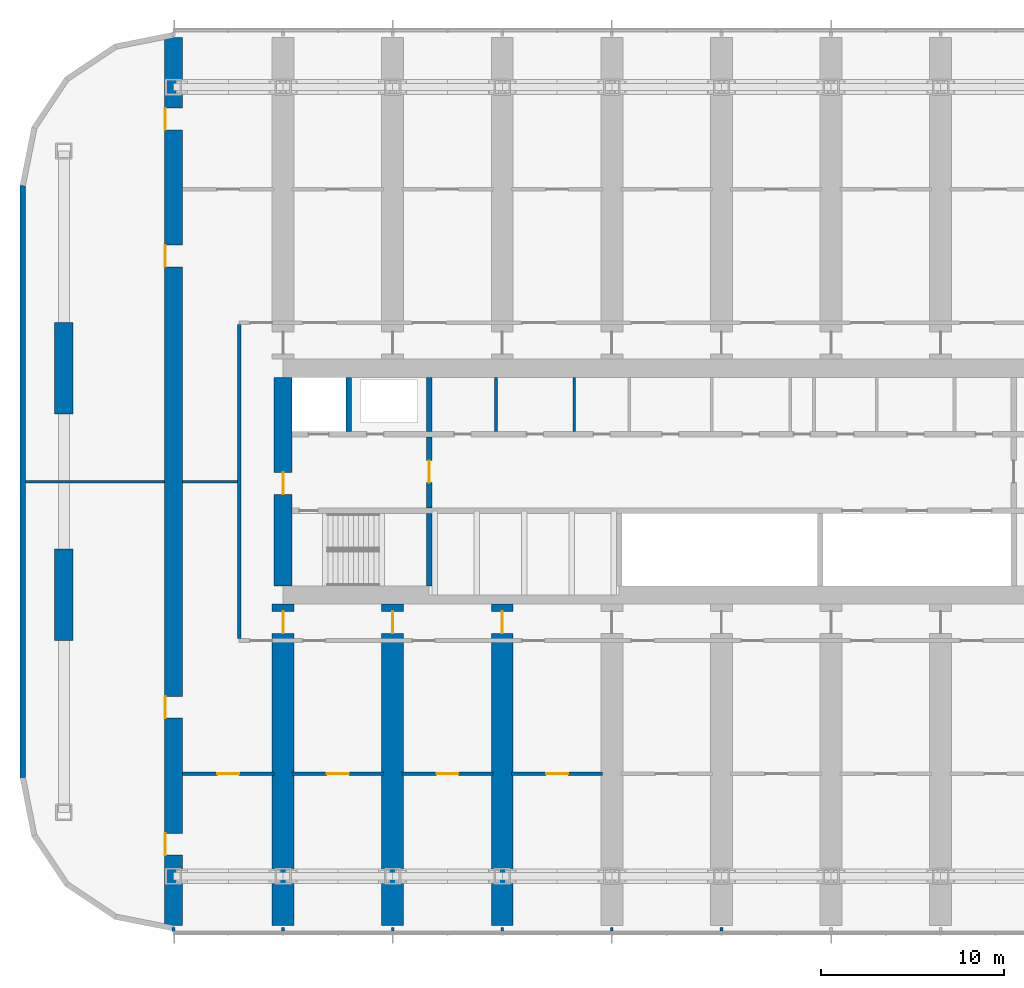
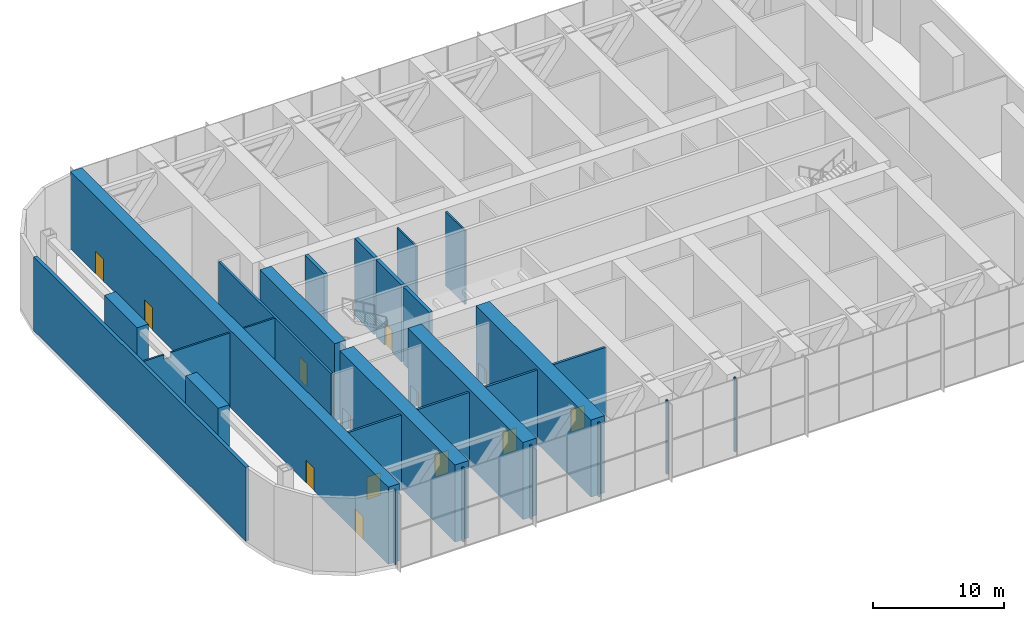
# One storey, part 10 of 24: 27 walls, 13 doors, 13 openings.
"""IFC4 building model written with IfcOpenShell, lengths in metres."""

import ifcopenshell
import ifcopenshell.guid

model = None  # the IFC model being written
_history = None  # IfcOwnerHistory: only IFC2X3 demands one
_inside = {}  # id of a spatial element -> (the spatial element, [elements in it])
_under = {}  # id of a project, library or spatial element -> (it, [spatial elements below it])
_declared = {}  # id of a project -> (the project, [libraries it declares])
_typed = {}  # id of a type object -> (the type object, [elements of that type])
_made_of = {}  # id of a material, layer set ... -> (it, [elements and type objects made of it])


def new_model(schema):
    """Start an empty IFC model of exactly this schema.

    Asked for "IFC4X3", IfcOpenShell would pick the latest addendum, in which some entities
    have other attributes; the version numbers below select the first issue.
    IFC2X3 requires an IfcOwnerHistory on every rooted entity: one is made here for all.
    """
    global model, _history
    if schema == "IFC4X3":
        model = ifcopenshell.file(schema_version=(4, 3, 0, 0))
    else:
        model = ifcopenshell.file(schema=schema)
    _inside.clear()
    _under.clear()
    _declared.clear()
    _typed.clear()
    _made_of.clear()
    _history = None
    if model.schema == "IFC2X3":
        org = make("IfcOrganization", Name="unknown")
        user = make(
            "IfcPersonAndOrganization",
            ThePerson=make("IfcPerson", FamilyName="unknown"),
            TheOrganization=org,
        )
        app = make(
            "IfcApplication",
            ApplicationDeveloper=org,
            Version="unknown",
            ApplicationFullName="unknown",
            ApplicationIdentifier="unknown",
        )
        _history = make(
            "IfcOwnerHistory",
            OwningUser=user,
            OwningApplication=app,
            ChangeAction="ADDED",
            CreationDate=0,
        )
    return model


def make(cls, **values):
    """One entity of the class cls with the attributes given. An attribute that is None is left unset."""
    return model.create_entity(
        cls, **{name: value for name, value in values.items() if value is not None}
    )


def rooted(cls, **values):
    """An entity with a GlobalId (a new one), such as an element, a storey or a relation."""
    return make(cls, GlobalId=ifcopenshell.guid.new(), OwnerHistory=_history, **values)


def si_unit(unit_type, name, prefix=None):
    """IfcSIUnit, for example si_unit("LENGTHUNIT", "METRE", prefix="MILLI")."""
    return make("IfcSIUnit", UnitType=unit_type, Prefix=prefix, Name=name)


def assignment(units):
    """IfcUnitAssignment: the units of a project."""
    return None if units is None else make("IfcUnitAssignment", Units=units)


def point(xyz):
    """IfcCartesianPoint."""
    return None if xyz is None else make("IfcCartesianPoint", Coordinates=xyz)


def direction(xyz):
    """IfcDirection."""
    return None if xyz is None else make("IfcDirection", DirectionRatios=xyz)


def frame(location, z_axis=None, x_axis=None):
    """IfcAxis2Placement3D, a coordinate frame: its origin and axes. An axis left out is left unset."""
    return make(
        "IfcAxis2Placement3D",
        Location=point(location),
        Axis=direction(z_axis),
        RefDirection=direction(x_axis),
    )


def frame_2d(location, x_axis=None):
    """IfcAxis2Placement2D, a coordinate frame in the plane: its origin and x axis."""
    return make(
        "IfcAxis2Placement2D", Location=point(location), RefDirection=direction(x_axis)
    )


def origin():
    """The frame at (0, 0, 0) with its axes left unset."""
    return frame((0.0, 0.0, 0.0))


def place(relative_to, where):
    """IfcLocalPlacement: puts the frame where relative to a parent placement (None: the world)."""
    return make(
        "IfcLocalPlacement", PlacementRelTo=relative_to, RelativePlacement=where
    )


def context(
    kind, dimensions, precision=None, world=None, true_north=None, identifier=None
):
    """IfcGeometricRepresentationContext, for example the 3D "Model" context."""
    return make(
        "IfcGeometricRepresentationContext",
        ContextIdentifier=identifier,
        ContextType=kind,
        CoordinateSpaceDimension=dimensions,
        Precision=precision,
        WorldCoordinateSystem=world,
        TrueNorth=true_north,
    )


def subcontext(parent, identifier, kind, view, scale=None):
    """IfcGeometricRepresentationSubContext, for example "Body" below "Model"."""
    return make(
        "IfcGeometricRepresentationSubContext",
        ContextIdentifier=identifier,
        ContextType=kind,
        ParentContext=parent,
        TargetScale=scale,
        TargetView=view,
    )


def project(units=None, contexts=None):
    """IfcProject with its units and contexts."""
    return rooted(
        "IfcProject",
        Name="project",
        RepresentationContexts=contexts,
        UnitsInContext=assignment(units),
    )


def spatial(cls, under=None, at=None, **own):
    """A site, building, storey or space (cls), placed at a placement, below another one or the project."""
    s = rooted(cls, ObjectPlacement=at, **own)
    if under is not None:
        _under.setdefault(under.id(), (under, []))[1].append(s)
    return s


def polyline(points):
    """IfcPolyline through the points."""
    return make("IfcPolyline", Points=[point(p) for p in points])


def profile(cls, at=None, kind="AREA", **sizes):
    """A parametric profile (cls). Its sizes go by their IFC names, for example OverallWidth=200.0."""
    return make(cls, ProfileType=kind, Position=at, **sizes)


def rectangle(**sizes):
    """IfcRectangleProfileDef."""
    return profile("IfcRectangleProfileDef", **sizes)


def outline(outer, holes=None, kind="AREA"):
    """IfcArbitraryClosedProfileDef: a profile drawn as a closed curve; with holes, ...WithVoids."""
    if holes is None:
        return make("IfcArbitraryClosedProfileDef", ProfileType=kind, OuterCurve=outer)
    return make(
        "IfcArbitraryProfileDefWithVoids",
        ProfileType=kind,
        OuterCurve=outer,
        InnerCurves=holes,
    )


def extrude(swept, where, along, depth):
    """IfcExtrudedAreaSolid: the profile swept, set in the frame where, extruded along a direction by depth."""
    return make(
        "IfcExtrudedAreaSolid",
        SweptArea=swept,
        Position=where,
        ExtrudedDirection=direction(along),
        Depth=depth,
    )


def shape(context_of_items, identifier, shape_type, items):
    """IfcShapeRepresentation: the items that make up one representation, for example the "Body"."""
    return make(
        "IfcShapeRepresentation",
        ContextOfItems=context_of_items,
        RepresentationIdentifier=identifier,
        RepresentationType=shape_type,
        Items=items,
    )


def material(Name=None, Category=None):
    """IfcMaterial."""
    return make("IfcMaterial", Name=Name, Category=Category)


def layer(
    of_material, thickness, ventilated=None, Name=None, Category=None, Priority=None
):
    """IfcMaterialLayer: one layer of a wall or slab, of a material (None: an air gap)."""
    return make(
        "IfcMaterialLayer",
        Material=of_material,
        LayerThickness=thickness,
        IsVentilated=ventilated,
        Name=Name,
        Category=Category,
        Priority=Priority,
    )


def layer_set(layers, Name=None):
    """IfcMaterialLayerSet."""
    return make("IfcMaterialLayerSet", MaterialLayers=layers, LayerSetName=Name)


def made_of(thing, what):
    """Note that an element or type object is made of a material, layer set ...; save() writes the relation."""
    if what is not None:
        _made_of.setdefault(what.id(), (what, []))[1].append(thing)
    return thing


def type_object(cls, material=None, **own):
    """A type object (cls), such as IfcWallType, which elements share."""
    return made_of(rooted(cls, **own), material)


def element(
    cls,
    number,
    at=None,
    inside=None,
    cuts=None,
    type_object=None,
    material=None,
    context=None,
    identifier="Body",
    shape_type=None,
    held_by="IfcProductDefinitionShape",
    body=None,
    shapes=None,
    **own,
):
    """One element of the class cls, such as IfcWall. Its Tag is "e" and its number.

    at: its placement. inside: the storey or other place that contains it. cuts: it is an
    opening in that element (IfcRelVoidsElement). A single representation is given by context,
    identifier, shape_type and body (its items); several are given by shapes. held_by: the class
    of the entity that holds the representations. save() writes the other relations.
    """
    e = rooted(cls, Tag="e%d" % number, ObjectPlacement=at, **own)
    if body is not None:
        shapes = [shape(context, identifier, shape_type, body)]
    if shapes is not None:
        e.Representation = make(held_by, Representations=shapes)
    if inside is not None:
        _inside.setdefault(inside.id(), (inside, []))[1].append(e)
    if cuts is not None:
        rooted(
            "IfcRelVoidsElement", RelatingBuildingElement=cuts, RelatedOpeningElement=e
        )
    if type_object is not None:
        _typed.setdefault(type_object.id(), (type_object, []))[1].append(e)
    return made_of(e, material)


def fill(opening, filler):
    """IfcRelFillsElement: the door or window that sits in an opening."""
    return rooted(
        "IfcRelFillsElement",
        RelatingOpeningElement=opening,
        RelatedBuildingElement=filler,
    )


def aggregate(whole, parts):
    """IfcRelAggregates: a whole, such as a stair, and the parts it consists of."""
    return rooted("IfcRelAggregates", RelatingObject=whole, RelatedObjects=parts)


def save(model, path):
    """Write the relations noted so far, then the file.

    IfcRelAggregates (storeys below a building ...), IfcRelContainedInSpatialStructure (elements
    in a storey), IfcRelDefinesByType, IfcRelAssociatesMaterial and IfcRelDeclares: one each for
    every whole, place, type object, material and project.
    """
    for whole, parts in _under.values():
        aggregate(whole, parts)
    for where, things in _inside.values():
        rooted(
            "IfcRelContainedInSpatialStructure",
            RelatedElements=things,
            RelatingStructure=where,
        )
    for kind, things in _typed.values():
        rooted("IfcRelDefinesByType", RelatedObjects=things, RelatingType=kind)
    for what, things in _made_of.values():
        rooted("IfcRelAssociatesMaterial", RelatedObjects=things, RelatingMaterial=what)
    for by, libraries in _declared.values():
        rooted("IfcRelDeclares", RelatingContext=by, RelatedDefinitions=libraries)
    model.write(path)


model = new_model("IFC4")

# Units and contexts
model_context = context("Model", 3, precision=1e-05, world=origin(), true_north=direction((0.0, 1.0)))
body_context = subcontext(model_context, "Body", "Model", "MODEL_VIEW")
ifc_project = project(units=[si_unit("LENGTHUNIT", "METRE"), si_unit("AREAUNIT", "SQUARE_METRE"), si_unit("VOLUMEUNIT", "CUBIC_METRE"), si_unit("PLANEANGLEUNIT", "RADIAN"), si_unit("MASSUNIT", "GRAM", prefix="KILO")], contexts=[model_context])

# Site, building, storey
site_placement = place(None, origin())
site = spatial("IfcSite", under=ifc_project, at=site_placement, CompositionType="ELEMENT")
building_placement = place(site_placement, origin())
building = spatial("IfcBuilding", under=site, at=building_placement, Name="Orbita Commons", CompositionType="ELEMENT")
storey_placement = place(building_placement, frame((0.0, 0.0, 68.949951171875)))
storey = spatial("IfcBuildingStorey", under=building, at=storey_placement, Name="L17", CompositionType="ELEMENT", Elevation=68.949951171875)

# Wall
ifc_material_1 = material(Name="Concrete C50/60", Category="concrete")
ifc_layer_1 = layer(ifc_material_1, 0.300048828125)
ifc_layer_set_1 = layer_set([ifc_layer_1], Name="Concrete C50/60")
wall_type_1 = type_object("IfcWallType", Name="Core inner wall 300 C50/60", PredefinedType="SHEAR", material=ifc_layer_set_1)
wall_1_placement = place(storey_placement, frame((26.0, 26.300048828125, 0.0), z_axis=(0.0, 0.0, 1.0), x_axis=(0.0, 1.0, 0.0)))
element("IfcWall", 1, at=wall_1_placement, inside=storey, type_object=wall_type_1, Name="Stair S1 wall L17", PredefinedType="SHEAR", context=body_context, shape_type="SweptSolid", body=[
    extrude(rectangle(XDim=3.949951171875, YDim=0.300048828125, at=frame_2d((1.97509765625, 0.0))), origin(), (0.0, 0.0, 1.0), 7.199951171875),
])

# Wall, opening, door
wall_2_placement = place(storey_placement, frame((26.0, 30.550048828125, 0.0), z_axis=(0.0, 0.0, 1.0), x_axis=(0.0, 1.0, 0.0)))
wall_2 = element("IfcWall", 2, at=wall_2_placement, inside=storey, type_object=wall_type_1, Name="Firefighting lobby wall west L17", PredefinedType="SHEAR", context=body_context, shape_type="SweptSolid", body=[
    extrude(rectangle(XDim=3.89990234375, YDim=0.300048828125, at=frame_2d((1.949951171875, 0.0))), origin(), (0.0, 0.0, 1.0), 7.199951171875),
])
opening_1_placement = place(wall_2_placement, frame((1.39990234375, 0.0, 0.0)))
opening_1 = element("IfcOpeningElement", 3, at=opening_1_placement, cuts=wall_2, Name="Opening D04", PredefinedType="OPENING", context=body_context, shape_type="SweptSolid", body=[
    extrude(rectangle(XDim=1.199951171875, YDim=2.10009765625, at=frame_2d((0.60009765625, 1.050048828125))), frame((0.0, 0.159912109375, 0.0), z_axis=(0.0, -1.0, 0.0), x_axis=(1.0, 0.0, 0.0)), (0.0, 0.0, 1.0), 0.320068359375),
])
ifc_material_2 = material(Name="Steel-faced fire door leaf", Category="steel")
door_type_1 = type_object("IfcDoorType", Name="Service door 20 min 1200x2100", OperationType="SINGLE_SWING_LEFT", PredefinedType="DOOR", material=ifc_material_2)
door_1_placement = place(opening_1_placement, origin())
door_1 = element("IfcDoor", 4, at=door_1_placement, inside=storey, type_object=door_type_1, Name="Lift lobby door west", OperationType="SINGLE_SWING_LEFT", OverallHeight=2.10009765625, OverallWidth=1.199951171875, PredefinedType="DOOR", context=body_context, shape_type="SweptSolid", body=[
    extrude(rectangle(XDim=1.199951171875, YDim=2.10009765625, at=frame_2d((0.60009765625, 1.050048828125))), frame((0.0, 0.02490234375, 0.0), z_axis=(0.0, -1.0, 0.0), x_axis=(1.0, 0.0, 0.0)), (0.0, 0.0, 1.0), 0.050048828125),
])
fill(opening_1, door_1)

# Walls
for number, where, z_axis, x_axis, name in (
    (5, (21.60009765625, 34.75, 0.0), (0.0, 0.0, 1.0), (0.0, 1.0, 0.0), "Firefighting lift FL1 shaft wall L17"),
    (6, (26.0, 34.75, 0.0), (0.0, 0.0, 1.0), (0.0, 1.0, 0.0), "Riser wall west L17"),
):
    element("IfcWall", number, at=place(storey_placement, frame(where, z_axis=z_axis, x_axis=x_axis)), inside=storey, type_object=wall_type_1, Name=name, PredefinedType="SHEAR", context=body_context, shape_type="SweptSolid", body=[
        extrude(rectangle(XDim=2.949951171875, YDim=0.300048828125, at=frame_2d((1.47509765625, 0.0))), origin(), (0.0, 0.0, 1.0), 7.199951171875),
    ])
ifc_material_3 = material(Name="Concrete blockwork", Category="masonry")
ifc_layer_2 = layer(ifc_material_3, 0.14990234375)
ifc_layer_set_2 = layer_set([ifc_layer_2], Name="Concrete blockwork")
wall_type_2 = type_object("IfcWallType", Name="Core partition 150 blockwork", PredefinedType="SOLIDWALL", material=ifc_layer_set_2)
for number, where, z_axis, x_axis, name in (
    (7, (29.65087890625, 34.75, 0.0), (0.0, 0.0, 1.0), (0.0, 1.0, 0.0), "Core partition 150 blockwork L17"),
    (8, (33.9462890625, 34.75, 0.0), (0.0, 0.0, 1.0), (0.0, 1.0, 0.0), "Core partition 150 blockwork L17"),
):
    element("IfcWall", number, at=place(storey_placement, frame(where, z_axis=z_axis, x_axis=x_axis)), inside=storey, type_object=wall_type_2, Name=name, PredefinedType="SOLIDWALL", context=body_context, shape_type="SweptSolid", body=[
        extrude(rectangle(XDim=2.949951171875, YDim=0.14990234375, at=frame_2d((1.47509765625, 0.0))), origin(), (0.0, 0.0, 1.0), 6.900146484375),
    ])

# Wall, opening, door
ifc_material_4 = material(Name="Concrete C50/60", Category="concrete")
ifc_layer_3 = layer(ifc_material_4, 1.0)
ifc_layer_set_3 = layer_set([ifc_layer_3], Name="Concrete C50/60")
wall_type_3 = type_object("IfcWallType", Name="Core wall 1000 C50/60", PredefinedType="SHEAR", material=ifc_layer_set_3)
wall_3_placement = place(storey_placement, frame((18.0, 26.300048828125, 0.0), z_axis=(0.0, 0.0, 1.0), x_axis=(0.0, 1.0, 0.0)))
wall_3 = element("IfcWall", 9, at=wall_3_placement, inside=storey, type_object=wall_type_3, Name="Core end wall west L17", PredefinedType="SHEAR", context=body_context, shape_type="SweptSolid", body=[
    extrude(rectangle(XDim=11.39990234375, YDim=1.0, at=frame_2d((5.699951171875, 0.0))), origin(), (0.0, 0.0, 1.0), 7.199951171875),
])
opening_2_placement = place(wall_3_placement, frame((5.0, 0.0, 0.0)))
opening_2 = element("IfcOpeningElement", 10, at=opening_2_placement, cuts=wall_3, Name="Opening D01", PredefinedType="OPENING", context=body_context, shape_type="SweptSolid", body=[
    extrude(rectangle(XDim=1.199951171875, YDim=2.10009765625, at=frame_2d((0.60009765625, 1.050048828125))), frame((0.0, 0.510009765625, 0.0), z_axis=(0.0, -1.0, 0.0), x_axis=(1.0, 0.0, 0.0)), (0.0, 0.0, 1.0), 1.02001953125),
])
ifc_material_5 = material(Name="Steel-faced fire door leaf", Category="steel")
door_type_2 = type_object("IfcDoorType", Name="Fire door 90 min 1200x2100", OperationType="SINGLE_SWING_LEFT", PredefinedType="DOOR", material=ifc_material_5)
door_2_placement = place(opening_2_placement, origin())
door_2 = element("IfcDoor", 11, at=door_2_placement, inside=storey, type_object=door_type_2, Name="Firefighting lobby west door", OperationType="SINGLE_SWING_LEFT", OverallHeight=2.10009765625, OverallWidth=1.199951171875, PredefinedType="DOOR", context=body_context, shape_type="SweptSolid", body=[
    extrude(rectangle(XDim=1.199951171875, YDim=2.10009765625, at=frame_2d((0.60009765625, 1.050048828125))), frame((0.0, 0.02490234375, 0.0), z_axis=(0.0, -1.0, 0.0), x_axis=(1.0, 0.0, 0.0)), (0.0, 0.0, 1.0), 0.050048828125),
])
fill(opening_2, door_2)

# Wall
ifc_material_6 = material(Name="Concrete blockwork", Category="masonry")
ifc_layer_4 = layer(ifc_material_6, 0.199951171875)
ifc_layer_set_4 = layer_set([ifc_layer_4], Name="Concrete blockwork")
wall_type_4 = type_object("IfcWallType", Name="Corridor wall 200 blockwork", PredefinedType="SOLIDWALL", material=ifc_layer_set_4)
wall_4_placement = place(storey_placement, frame((15.60009765625, 23.39990234375, 0.0), z_axis=(0.0, 0.0, 1.0), x_axis=(0.0, 1.0, 0.0)))
element("IfcWall", 12, at=wall_4_placement, inside=storey, type_object=wall_type_4, Name="Corridor wall 200 blockwork L17", PredefinedType="SOLIDWALL", context=body_context, shape_type="SweptSolid", body=[
    extrude(rectangle(XDim=17.2001953125, YDim=0.199951171875, at=frame_2d((8.60009765625, 0.0))), origin(), (0.0, 0.0, 1.0), 6.900146484375),
])

# Wall, opening, door
ifc_material_7 = material(Name="Hollow concrete block 200", Category="concrete")
ifc_layer_5 = layer(ifc_material_7, 0.199951171875)
ifc_layer_set_5 = layer_set([ifc_layer_5], Name="Hollow concrete block 200")
wall_type_5 = type_object("IfcWallType", Name="Corridor wall 200 hollow concrete block", PredefinedType="SOLIDWALL", material=ifc_layer_set_5)
wall_5_placement = place(storey_placement, frame((12.5, 16.0, 0.0), z_axis=(0.0, 0.0, 1.0), x_axis=(1.0, 0.0, 0.0)))
wall_5 = element("IfcWall", 13, at=wall_5_placement, inside=storey, type_object=wall_type_5, Name="Corridor wall 200 hollow concrete block L17", PredefinedType="SOLIDWALL", context=body_context, shape_type="SweptSolid", body=[
    extrude(rectangle(XDim=5.0, YDim=0.199951171875, at=frame_2d((2.5, 0.0))), origin(), (0.0, 0.0, 1.0), 6.900146484375),
])
opening_3_placement = place(wall_5_placement, frame((1.89990234375, 0.0, 0.0)))
opening_3 = element("IfcOpeningElement", 14, at=opening_3_placement, cuts=wall_5, Name="Opening D01", PredefinedType="OPENING", context=body_context, shape_type="SweptSolid", body=[
    extrude(rectangle(XDim=1.199951171875, YDim=2.10009765625, at=frame_2d((0.60009765625, 1.050048828125))), frame((0.0, 0.10986328125, 0.0), z_axis=(0.0, -1.0, 0.0), x_axis=(1.0, 0.0, 0.0)), (0.0, 0.0, 1.0), 0.219970703125),
])
door_3_placement = place(opening_3_placement, origin())
door_3 = element("IfcDoor", 15, at=door_3_placement, inside=storey, type_object=door_type_2, Name="Refuge area door L17", OperationType="SINGLE_SWING_LEFT", OverallHeight=2.10009765625, OverallWidth=1.199951171875, PredefinedType="DOOR", context=body_context, shape_type="SweptSolid", body=[
    extrude(rectangle(XDim=1.199951171875, YDim=2.10009765625, at=frame_2d((0.60009765625, 1.050048828125))), frame((0.0, 0.02490234375, 0.0), z_axis=(0.0, -1.0, 0.0), x_axis=(1.0, 0.0, 0.0)), (0.0, 0.0, 1.0), 0.050048828125),
])
fill(opening_3, door_3)

wall_6_placement = place(storey_placement, frame((18.5, 16.0, 0.0), z_axis=(0.0, 0.0, 1.0), x_axis=(1.0, 0.0, 0.0)))
wall_6 = element("IfcWall", 16, at=wall_6_placement, inside=storey, type_object=wall_type_5, Name="Corridor wall 200 hollow concrete block L17", PredefinedType="SOLIDWALL", context=body_context, shape_type="SweptSolid", body=[
    extrude(rectangle(XDim=5.0, YDim=0.199951171875, at=frame_2d((2.5, 0.0))), origin(), (0.0, 0.0, 1.0), 6.900146484375),
])
opening_4_placement = place(wall_6_placement, frame((1.89990234375, 0.0, 0.0)))
opening_4 = element("IfcOpeningElement", 17, at=opening_4_placement, cuts=wall_6, Name="Opening D01", PredefinedType="OPENING", context=body_context, shape_type="SweptSolid", body=[
    extrude(rectangle(XDim=1.199951171875, YDim=2.10009765625, at=frame_2d((0.60009765625, 1.050048828125))), frame((0.0, 0.10986328125, 0.0), z_axis=(0.0, -1.0, 0.0), x_axis=(1.0, 0.0, 0.0)), (0.0, 0.0, 1.0), 0.219970703125),
])
door_4_placement = place(opening_4_placement, origin())
door_4 = element("IfcDoor", 18, at=door_4_placement, inside=storey, type_object=door_type_2, Name="Refuge area door L17", OperationType="SINGLE_SWING_LEFT", OverallHeight=2.10009765625, OverallWidth=1.199951171875, PredefinedType="DOOR", context=body_context, shape_type="SweptSolid", body=[
    extrude(rectangle(XDim=1.199951171875, YDim=2.10009765625, at=frame_2d((0.60009765625, 1.050048828125))), frame((0.0, 0.02490234375, 0.0), z_axis=(0.0, -1.0, 0.0), x_axis=(1.0, 0.0, 0.0)), (0.0, 0.0, 1.0), 0.050048828125),
])
fill(opening_4, door_4)

wall_7_placement = place(storey_placement, frame((24.5, 16.0, 0.0), z_axis=(0.0, 0.0, 1.0), x_axis=(1.0, 0.0, 0.0)))
wall_7 = element("IfcWall", 19, at=wall_7_placement, inside=storey, type_object=wall_type_5, Name="Corridor wall 200 hollow concrete block L17", PredefinedType="SOLIDWALL", context=body_context, shape_type="SweptSolid", body=[
    extrude(rectangle(XDim=5.0, YDim=0.199951171875, at=frame_2d((2.5, 0.0))), origin(), (0.0, 0.0, 1.0), 6.900146484375),
])
opening_5_placement = place(wall_7_placement, frame((1.89990234375, 0.0, 0.0)))
opening_5 = element("IfcOpeningElement", 20, at=opening_5_placement, cuts=wall_7, Name="Opening D01", PredefinedType="OPENING", context=body_context, shape_type="SweptSolid", body=[
    extrude(rectangle(XDim=1.199951171875, YDim=2.10009765625, at=frame_2d((0.60009765625, 1.050048828125))), frame((0.0, 0.10986328125, 0.0), z_axis=(0.0, -1.0, 0.0), x_axis=(1.0, 0.0, 0.0)), (0.0, 0.0, 1.0), 0.219970703125),
])
door_5_placement = place(opening_5_placement, origin())
door_5 = element("IfcDoor", 21, at=door_5_placement, inside=storey, type_object=door_type_2, Name="Refuge area door L17", OperationType="SINGLE_SWING_LEFT", OverallHeight=2.10009765625, OverallWidth=1.199951171875, PredefinedType="DOOR", context=body_context, shape_type="SweptSolid", body=[
    extrude(rectangle(XDim=1.199951171875, YDim=2.10009765625, at=frame_2d((0.60009765625, 1.050048828125))), frame((0.0, 0.02490234375, 0.0), z_axis=(0.0, -1.0, 0.0), x_axis=(1.0, 0.0, 0.0)), (0.0, 0.0, 1.0), 0.050048828125),
])
fill(opening_5, door_5)

wall_8_placement = place(storey_placement, frame((30.5, 16.0, 0.0), z_axis=(0.0, 0.0, 1.0), x_axis=(1.0, 0.0, 0.0)))
wall_8 = element("IfcWall", 22, at=wall_8_placement, inside=storey, type_object=wall_type_5, Name="Corridor wall 200 hollow concrete block L17", PredefinedType="SOLIDWALL", context=body_context, shape_type="SweptSolid", body=[
    extrude(rectangle(XDim=5.0, YDim=0.199951171875, at=frame_2d((2.5, 0.0))), origin(), (0.0, 0.0, 1.0), 6.900146484375),
])
opening_6_placement = place(wall_8_placement, frame((1.89990234375, 0.0, 0.0)))
opening_6 = element("IfcOpeningElement", 23, at=opening_6_placement, cuts=wall_8, Name="Opening D01", PredefinedType="OPENING", context=body_context, shape_type="SweptSolid", body=[
    extrude(rectangle(XDim=1.199951171875, YDim=2.10009765625, at=frame_2d((0.60009765625, 1.050048828125))), frame((0.0, 0.10986328125, 0.0), z_axis=(0.0, -1.0, 0.0), x_axis=(1.0, 0.0, 0.0)), (0.0, 0.0, 1.0), 0.219970703125),
])
door_6_placement = place(opening_6_placement, origin())
door_6 = element("IfcDoor", 24, at=door_6_placement, inside=storey, type_object=door_type_2, Name="Refuge area door L17", OperationType="SINGLE_SWING_LEFT", OverallHeight=2.10009765625, OverallWidth=1.199951171875, PredefinedType="DOOR", context=body_context, shape_type="SweptSolid", body=[
    extrude(rectangle(XDim=1.199951171875, YDim=2.10009765625, at=frame_2d((0.60009765625, 1.050048828125))), frame((0.0, 0.02490234375, 0.0), z_axis=(0.0, -1.0, 0.0), x_axis=(1.0, 0.0, 0.0)), (0.0, 0.0, 1.0), 0.050048828125),
])
fill(opening_6, door_6)

# Wall, openings, doors
ifc_material_8 = material(Name="Concrete C50/60", Category="concrete")
ifc_layer_6 = layer(ifc_material_8, 1.0)
ifc_layer_set_6 = layer_set([ifc_layer_6], Name="Concrete C50/60")
wall_type_6 = type_object("IfcWallType", Name="Cross wall 1000 C50/60", PredefinedType="SHEAR", material=ifc_layer_set_6)
wall_9_placement = place(storey_placement, frame((12.0, 7.699951171875, 0.0), z_axis=(0.0, 0.0, 1.0), x_axis=(0.0, 1.0, 0.0)))
wall_9 = element("IfcWall", 25, at=wall_9_placement, inside=storey, type_object=wall_type_6, Name="Cross wall 3 L17", PredefinedType="SHEAR", context=body_context, shape_type="SweptSolid", body=[
    extrude(rectangle(XDim=48.60009765625, YDim=1.0, at=frame_2d((24.300048828125, 0.0))), origin(), (0.0, 0.0, 1.0), 7.199951171875),
])
opening_7_placement = place(wall_9_placement, frame((3.85009765625, 0.0, 0.0)))
opening_7 = element("IfcOpeningElement", 26, at=opening_7_placement, cuts=wall_9, Name="Opening D01", PredefinedType="OPENING", context=body_context, shape_type="SweptSolid", body=[
    extrude(rectangle(XDim=1.199951171875, YDim=2.10009765625, at=frame_2d((0.60009765625, 1.050048828125))), frame((0.0, 0.510009765625, 0.0), z_axis=(0.0, -1.0, 0.0), x_axis=(1.0, 0.0, 0.0)), (0.0, 0.0, 1.0), 1.02001953125),
])
opening_8_placement = place(wall_9_placement, frame((11.35009765625, 0.0, 0.0)))
opening_8 = element("IfcOpeningElement", 27, at=opening_8_placement, cuts=wall_9, Name="Opening D01", PredefinedType="OPENING", context=body_context, shape_type="SweptSolid", body=[
    extrude(rectangle(XDim=1.199951171875, YDim=2.10009765625, at=frame_2d((0.60009765625, 1.050048828125))), frame((0.0, 0.510009765625, 0.0), z_axis=(0.0, -1.0, 0.0), x_axis=(1.0, 0.0, 0.0)), (0.0, 0.0, 1.0), 1.02001953125),
])
opening_9_placement = place(wall_9_placement, frame((43.550048828125, 0.0, 0.0)))
opening_9 = element("IfcOpeningElement", 28, at=opening_9_placement, cuts=wall_9, Name="Opening D01", PredefinedType="OPENING", context=body_context, shape_type="SweptSolid", body=[
    extrude(rectangle(XDim=1.199951171875, YDim=2.10009765625, at=frame_2d((0.60009765625, 1.050048828125))), frame((0.0, 0.510009765625, 0.0), z_axis=(0.0, -1.0, 0.0), x_axis=(1.0, 0.0, 0.0)), (0.0, 0.0, 1.0), 1.02001953125),
])
opening_10_placement = place(wall_9_placement, frame((36.050048828125, 0.0, 0.0)))
opening_10 = element("IfcOpeningElement", 29, at=opening_10_placement, cuts=wall_9, Name="Opening D01", PredefinedType="OPENING", context=body_context, shape_type="SweptSolid", body=[
    extrude(rectangle(XDim=1.199951171875, YDim=2.10009765625, at=frame_2d((0.60009765625, 1.050048828125))), frame((0.0, 0.510009765625, 0.0), z_axis=(0.0, -1.0, 0.0), x_axis=(1.0, 0.0, 0.0)), (0.0, 0.0, 1.0), 1.02001953125),
])
door_7_placement = place(opening_7_placement, origin())
door_7 = element("IfcDoor", 30, at=door_7_placement, inside=storey, type_object=door_type_2, Name="Refuge area connecting door L17", OperationType="SINGLE_SWING_LEFT", OverallHeight=2.10009765625, OverallWidth=1.199951171875, PredefinedType="DOOR", context=body_context, shape_type="SweptSolid", body=[
    extrude(rectangle(XDim=1.199951171875, YDim=2.10009765625, at=frame_2d((0.60009765625, 1.050048828125))), frame((0.0, 0.48486328125, 0.0), z_axis=(0.0, -1.0, 0.0), x_axis=(1.0, 0.0, 0.0)), (0.0, 0.0, 1.0), 0.050048828125),
])
fill(opening_7, door_7)
door_8_placement = place(opening_8_placement, origin())
door_8 = element("IfcDoor", 31, at=door_8_placement, inside=storey, type_object=door_type_2, Name="Refuge area connecting door L17", OperationType="SINGLE_SWING_LEFT", OverallHeight=2.10009765625, OverallWidth=1.199951171875, PredefinedType="DOOR", context=body_context, shape_type="SweptSolid", body=[
    extrude(rectangle(XDim=1.199951171875, YDim=2.10009765625, at=frame_2d((0.60009765625, 1.050048828125))), frame((0.0, 0.48486328125, 0.0), z_axis=(0.0, -1.0, 0.0), x_axis=(1.0, 0.0, 0.0)), (0.0, 0.0, 1.0), 0.050048828125),
])
fill(opening_8, door_8)
door_9_placement = place(opening_9_placement, origin())
door_9 = element("IfcDoor", 32, at=door_9_placement, inside=storey, type_object=door_type_2, Name="Plant room connecting door L17", OperationType="SINGLE_SWING_LEFT", OverallHeight=2.10009765625, OverallWidth=1.199951171875, PredefinedType="DOOR", context=body_context, shape_type="SweptSolid", body=[
    extrude(rectangle(XDim=1.199951171875, YDim=2.10009765625, at=frame_2d((0.60009765625, 1.050048828125))), frame((0.0, 0.48486328125, 0.0), z_axis=(0.0, -1.0, 0.0), x_axis=(1.0, 0.0, 0.0)), (0.0, 0.0, 1.0), 0.050048828125),
])
fill(opening_9, door_9)
door_10_placement = place(opening_10_placement, origin())
door_10 = element("IfcDoor", 33, at=door_10_placement, inside=storey, type_object=door_type_2, Name="Plant room connecting door L17", OperationType="SINGLE_SWING_LEFT", OverallHeight=2.10009765625, OverallWidth=1.199951171875, PredefinedType="DOOR", context=body_context, shape_type="SweptSolid", body=[
    extrude(rectangle(XDim=1.199951171875, YDim=2.10009765625, at=frame_2d((0.60009765625, 1.050048828125))), frame((0.0, 0.48486328125, 0.0), z_axis=(0.0, -1.0, 0.0), x_axis=(1.0, 0.0, 0.0)), (0.0, 0.0, 1.0), 0.050048828125),
])
fill(opening_10, door_10)

# Walls
ifc_material_9 = material(Name="Concrete C50/60", Category="concrete")
ifc_layer_7 = layer(ifc_material_9, 1.0)
ifc_layer_set_7 = layer_set([ifc_layer_7], Name="Concrete C50/60")
wall_type_7 = type_object("IfcWallType", Name="End pier 1000x5000 C50/60", PredefinedType="SHEAR", material=ifc_layer_set_7)
for number, where, z_axis, x_axis, name in (
    (34, (6.0, 23.300048828125, 0.0), (0.0, 0.0, 1.0), (0.0, 1.0, 0.0), "End pier 2/C L17"),
    (35, (6.0, 35.699951171875, 0.0), (0.0, 0.0, 1.0), (0.0, 1.0, 0.0), "End pier 2/D L17"),
):
    element("IfcWall", number, at=place(storey_placement, frame(where, z_axis=z_axis, x_axis=x_axis)), inside=storey, type_object=wall_type_7, Name=name, PredefinedType="SHEAR", context=body_context, shape_type="SweptSolid", body=[
        extrude(rectangle(XDim=5.0, YDim=1.0, at=frame_2d((2.5, 0.0))), origin(), (0.0, 0.0, 1.0), 7.199951171875),
    ])

# Wall, opening, door
ifc_material_10 = material(Name="Concrete C50/60", Category="concrete")
ifc_layer_8 = layer(ifc_material_10, 1.199951171875)
ifc_layer_set_8 = layer_set([ifc_layer_8], Name="Concrete C50/60")
wall_type_8 = type_object("IfcWallType", Name="Outrigger wall 1200 C50/60", PredefinedType="SHEAR", material=ifc_layer_set_8)
wall_10_placement = place(storey_placement, frame((18.0, 7.699951171875, 0.0), z_axis=(0.0, 0.0, 1.0), x_axis=(0.0, 1.0, 0.0)))
wall_10 = element("IfcWall", 36, at=wall_10_placement, inside=storey, type_object=wall_type_8, Name="Outrigger wall 4 south L17", PredefinedType="SHEAR", context=body_context, shape_type="SweptSolid", body=[
    extrude(rectangle(XDim=17.60009765625, YDim=1.199951171875, at=frame_2d((8.800048828125, 0.0))), origin(), (0.0, 0.0, 1.0), 7.199951171875),
])
opening_11_placement = place(wall_10_placement, frame((16.0, 0.0, 0.0)))
opening_11 = element("IfcOpeningElement", 37, at=opening_11_placement, cuts=wall_10, Name="Opening D01", PredefinedType="OPENING", context=body_context, shape_type="SweptSolid", body=[
    extrude(rectangle(XDim=1.199951171875, YDim=2.10009765625, at=frame_2d((0.60009765625, 1.050048828125))), frame((0.0, 0.60986328125, 0.0), z_axis=(0.0, -1.0, 0.0), x_axis=(1.0, 0.0, 0.0)), (0.0, 0.0, 1.0), 1.219970703125),
])
door_11_placement = place(opening_11_placement, origin())
door_11 = element("IfcDoor", 38, at=door_11_placement, inside=storey, type_object=door_type_2, Name="Corridor door through cross wall S L17", OperationType="SINGLE_SWING_LEFT", OverallHeight=2.10009765625, OverallWidth=1.199951171875, PredefinedType="DOOR", context=body_context, shape_type="SweptSolid", body=[
    extrude(rectangle(XDim=1.199951171875, YDim=2.10009765625, at=frame_2d((0.60009765625, 1.050048828125))), frame((0.0, 0.02490234375, 0.0), z_axis=(0.0, -1.0, 0.0), x_axis=(1.0, 0.0, 0.0)), (0.0, 0.0, 1.0), 0.050048828125),
])
fill(opening_11, door_11)

wall_11_placement = place(storey_placement, frame((24.0, 7.699951171875, 0.0), z_axis=(0.0, 0.0, 1.0), x_axis=(0.0, 1.0, 0.0)))
wall_11 = element("IfcWall", 39, at=wall_11_placement, inside=storey, type_object=wall_type_8, Name="Outrigger wall 5 south L17", PredefinedType="SHEAR", context=body_context, shape_type="SweptSolid", body=[
    extrude(rectangle(XDim=17.60009765625, YDim=1.199951171875, at=frame_2d((8.800048828125, 0.0))), origin(), (0.0, 0.0, 1.0), 7.199951171875),
])
opening_12_placement = place(wall_11_placement, frame((16.0, 0.0, 0.0)))
opening_12 = element("IfcOpeningElement", 40, at=opening_12_placement, cuts=wall_11, Name="Opening D01", PredefinedType="OPENING", context=body_context, shape_type="SweptSolid", body=[
    extrude(rectangle(XDim=1.199951171875, YDim=2.10009765625, at=frame_2d((0.60009765625, 1.050048828125))), frame((0.0, 0.60986328125, 0.0), z_axis=(0.0, -1.0, 0.0), x_axis=(1.0, 0.0, 0.0)), (0.0, 0.0, 1.0), 1.219970703125),
])
door_12_placement = place(opening_12_placement, origin())
door_12 = element("IfcDoor", 41, at=door_12_placement, inside=storey, type_object=door_type_2, Name="Corridor door through cross wall S L17", OperationType="SINGLE_SWING_LEFT", OverallHeight=2.10009765625, OverallWidth=1.199951171875, PredefinedType="DOOR", context=body_context, shape_type="SweptSolid", body=[
    extrude(rectangle(XDim=1.199951171875, YDim=2.10009765625, at=frame_2d((0.60009765625, 1.050048828125))), frame((0.0, 0.02490234375, 0.0), z_axis=(0.0, -1.0, 0.0), x_axis=(1.0, 0.0, 0.0)), (0.0, 0.0, 1.0), 0.050048828125),
])
fill(opening_12, door_12)

wall_12_placement = place(storey_placement, frame((30.0, 7.699951171875, 0.0), z_axis=(0.0, 0.0, 1.0), x_axis=(0.0, 1.0, 0.0)))
wall_12 = element("IfcWall", 42, at=wall_12_placement, inside=storey, type_object=wall_type_8, Name="Outrigger wall 6 south L17", PredefinedType="SHEAR", context=body_context, shape_type="SweptSolid", body=[
    extrude(rectangle(XDim=17.60009765625, YDim=1.199951171875, at=frame_2d((8.800048828125, 0.0))), origin(), (0.0, 0.0, 1.0), 7.199951171875),
])
opening_13_placement = place(wall_12_placement, frame((16.0, 0.0, 0.0)))
opening_13 = element("IfcOpeningElement", 43, at=opening_13_placement, cuts=wall_12, Name="Opening D01", PredefinedType="OPENING", context=body_context, shape_type="SweptSolid", body=[
    extrude(rectangle(XDim=1.199951171875, YDim=2.10009765625, at=frame_2d((0.60009765625, 1.050048828125))), frame((0.0, 0.60986328125, 0.0), z_axis=(0.0, -1.0, 0.0), x_axis=(1.0, 0.0, 0.0)), (0.0, 0.0, 1.0), 1.219970703125),
])
door_13_placement = place(opening_13_placement, origin())
door_13 = element("IfcDoor", 44, at=door_13_placement, inside=storey, type_object=door_type_2, Name="Corridor door through cross wall S L17", OperationType="SINGLE_SWING_LEFT", OverallHeight=2.10009765625, OverallWidth=1.199951171875, PredefinedType="DOOR", context=body_context, shape_type="SweptSolid", body=[
    extrude(rectangle(XDim=1.199951171875, YDim=2.10009765625, at=frame_2d((0.60009765625, 1.050048828125))), frame((0.0, 0.02490234375, 0.0), z_axis=(0.0, -1.0, 0.0), x_axis=(1.0, 0.0, 0.0)), (0.0, 0.0, 1.0), 0.050048828125),
])
fill(opening_13, door_13)

# Walls
ifc_material_11 = material(Name="Gypsum plasterboard on steel studs", Category="steel")
ifc_layer_9 = layer(ifc_material_11, 0.14990234375)
ifc_layer_set_9 = layer_set([ifc_layer_9], Name="Gypsum plasterboard on steel studs")
wall_type_9 = type_object("IfcWallType", Name="Partition 150 plasterboard", PredefinedType="PARTITIONING", material=ifc_layer_set_9)
wall_13_placement = place(storey_placement, frame((3.905029296875, 32.0, 0.0), z_axis=(0.0, 0.0, 1.0), x_axis=(1.0, 0.0, 0.0)))
element("IfcWall", 45, at=wall_13_placement, inside=storey, type_object=wall_type_9, Name="Partition 150 plasterboard L17", PredefinedType="PARTITIONING", context=body_context, shape_type="SweptSolid", body=[
    extrude(outline(polyline([(0.0, 0.0), (7.594970703125, 0.0), (7.594970703125, 6.900146484375), (2.39697265625, 6.900146484375), (2.39501953125, 6.449951171875), (1.797119140625, 6.449951171875), (1.794921875, 6.900146484375), (0.0, 6.900146484375), (0.0, 0.0)])), frame((0.0, 0.074951171875, 0.0), z_axis=(0.0, -1.0, 0.0), x_axis=(1.0, 0.0, 0.0)), (0.0, 0.0, 1.0), 0.14990234375),
])
wall_14_placement = place(storey_placement, frame((12.5, 32.0, 0.0), z_axis=(0.0, 0.0, 1.0), x_axis=(1.0, 0.0, 0.0)))
element("IfcWall", 46, at=wall_14_placement, inside=storey, type_object=wall_type_9, Name="Partition 150 plasterboard L17", PredefinedType="PARTITIONING", context=body_context, shape_type="SweptSolid", body=[
    extrude(rectangle(XDim=3.0, YDim=0.14990234375, at=frame_2d((1.5, 0.0))), origin(), (0.0, 0.0, 1.0), 6.900146484375),
])
wall_15_placement = place(storey_placement, frame((12.0, 7.60009765625, 0.0), z_axis=(0.0, 0.0, 1.0), x_axis=(0.0, -1.0, 0.0)))
element("IfcWall", 47, at=wall_15_placement, inside=storey, type_object=wall_type_9, Name="Partition 150 plasterboard L17", PredefinedType="PARTITIONING", context=body_context, shape_type="SweptSolid", body=[
    extrude(rectangle(XDim=0.22021484375, YDim=0.14990234375, at=frame_2d((0.110107421875, 0.0))), origin(), (0.0, 0.0, 1.0), 6.900146484375),
])
for number, where, z_axis, x_axis, name in (
    (48, (18.0, 7.60009765625, 0.0), (0.0, 0.0, 1.0), (0.0, -1.0, 0.0), "Partition 150 plasterboard L17"),
    (49, (24.0, 7.60009765625, 0.0), (0.0, 0.0, 1.0), (0.0, -1.0, 0.0), "Partition 150 plasterboard L17"),
    (50, (30.0, 7.60009765625, 0.0), (0.0, 0.0, 1.0), (0.0, -1.0, 0.0), "Partition 150 plasterboard L17"),
    (51, (36.0, 7.60009765625, 0.0), (0.0, 0.0, 1.0), (0.0, -1.0, 0.0), "Partition 150 plasterboard L17"),
    (52, (42.0, 7.60009765625, 0.0), (0.0, 0.0, 1.0), (0.0, -1.0, 0.0), "Partition 150 plasterboard L17"),
):
    element("IfcWall", number, at=place(storey_placement, frame(where, z_axis=z_axis, x_axis=x_axis)), inside=storey, type_object=wall_type_9, Name=name, PredefinedType="PARTITIONING", context=body_context, shape_type="SweptSolid", body=[
        extrude(rectangle(XDim=0.190185546875, YDim=0.14990234375, at=frame_2d((0.09521484375, 0.0))), origin(), (0.0, 0.0, 1.0), 6.900146484375),
    ])
ifc_material_12 = material(Name="Precast concrete C40/50, white board-marked finish", Category="concrete")
ifc_layer_10 = layer(ifc_material_12, 0.300048828125)
ifc_layer_set_10 = layer_set([ifc_layer_10], Name="Precast concrete C40/50, white board-marked finish")
wall_type_10 = type_object("IfcWallType", Name="Precast concrete end shield 300", PredefinedType="SOLIDWALL", material=ifc_layer_set_10)
wall_16_placement = place(storey_placement, frame((3.75, 48.199951171875, 0.0), z_axis=(0.0, 0.0, 1.0), x_axis=(0.0, -1.0, 0.0)))
element("IfcWall", 53, at=wall_16_placement, inside=storey, type_object=wall_type_10, Name="End shield W L17", PredefinedType="SOLIDWALL", context=body_context, shape_type="SweptSolid", body=[
    extrude(outline(polyline([(-0.014892578125, -0.14990234375), (32.414794921875, -0.14990234375), (32.385009765625, 0.14990234375), (0.014892578125, 0.14990234375), (-0.014892578125, -0.14990234375)])), origin(), (0.0, 0.0, 1.0), 6.900146484375),
])

save(model, "model.ifc")
